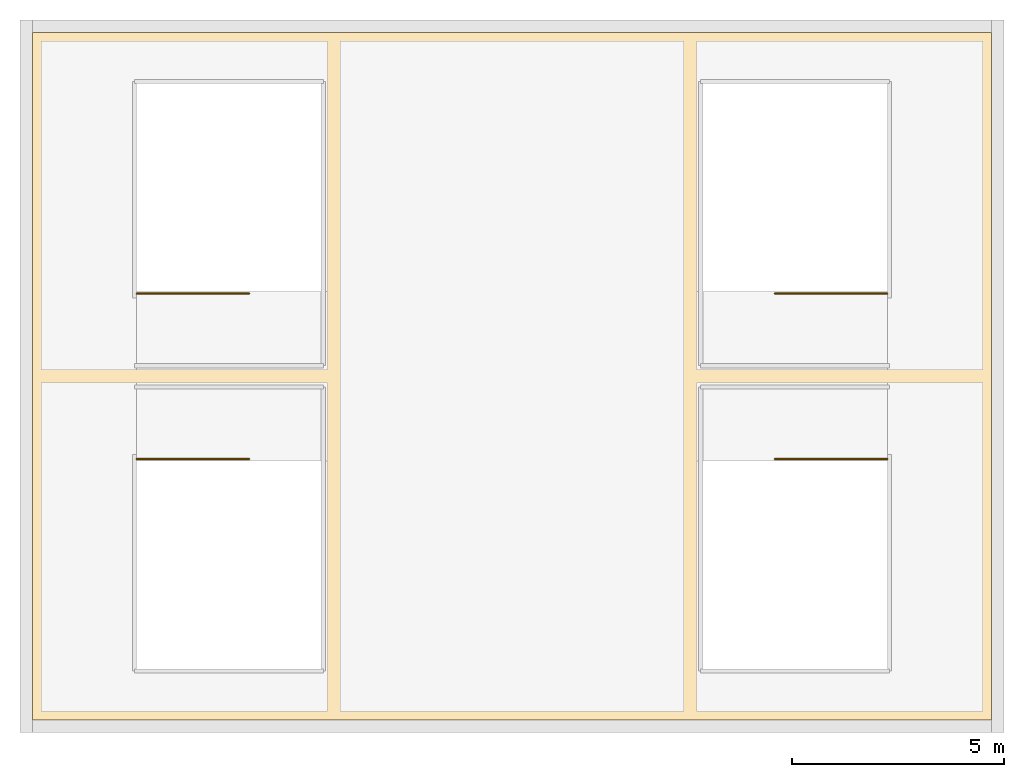
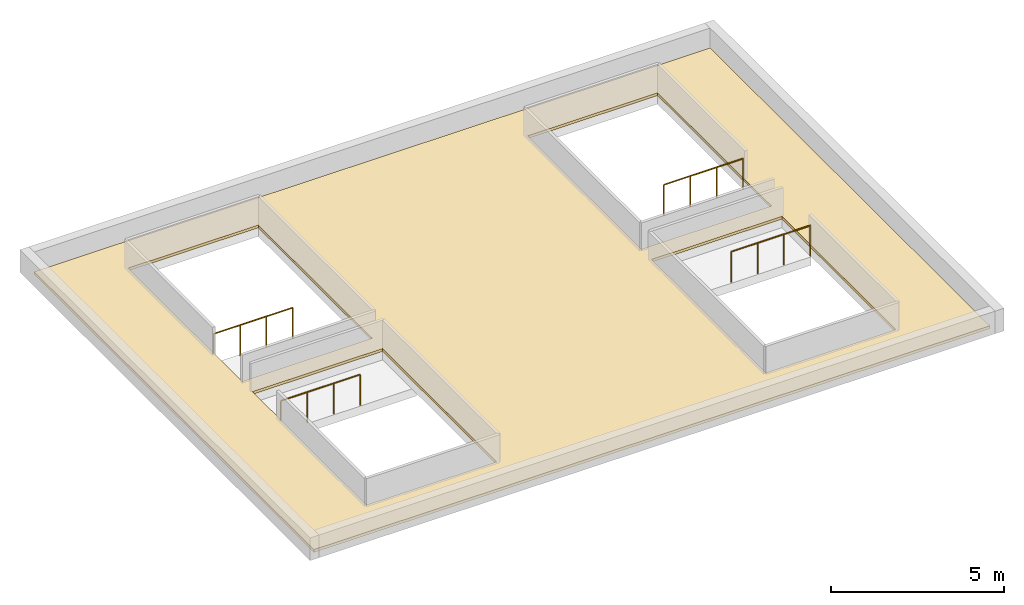
# One storey, part 2 of 2: 4 railings, 1 covering.
"""IFC4 building model written with IfcOpenShell, lengths in metres."""

from ifc_helpers import new_model, si_unit, direction, frame, origin, origin_2d, place, context, subcontext, project, spatial, polyline, circle, outline, extrude, material, layer, layer_set, type_object, element, save


model = new_model("IFC4")

# Units and contexts
model_context = context("Model", 3, precision=1e-05, world=origin(), true_north=direction((0.0, 1.0)))
body_context = subcontext(model_context, "Body", "Model", "MODEL_VIEW")
ifc_project = project(units=[si_unit("LENGTHUNIT", "METRE"), si_unit("AREAUNIT", "SQUARE_METRE"), si_unit("VOLUMEUNIT", "CUBIC_METRE"), si_unit("PLANEANGLEUNIT", "RADIAN"), si_unit("MASSUNIT", "GRAM", prefix="KILO")], contexts=[model_context])

# Site, building, storey
site_placement = place(None, origin())
site = spatial("IfcSite", under=ifc_project, at=site_placement, CompositionType="ELEMENT")
building_placement = place(site_placement, origin())
building = spatial("IfcBuilding", under=site, at=building_placement, Name="Marenta Gate Hotel Tower", CompositionType="ELEMENT")
storey_placement = place(building_placement, frame((0.0, 0.0, 309.39990234375)))
storey = spatial("IfcBuildingStorey", under=building, at=storey_placement, Name="ROOF", CompositionType="ELEMENT", Elevation=309.39990234375)

# Covering
ifc_material_1 = material(Name="Bronze anodised aluminium cladding", Category="aluminium")
ifc_layer = layer(ifc_material_1, 0.10009765625)
ifc_layer_set = layer_set([ifc_layer], Name="Bronze anodised aluminium cladding")
covering_type = type_object("IfcCoveringType", Name="Core roof bronze sheet 100 mm", PredefinedType="ROOFING", material=ifc_layer_set)
covering_placement = place(storey_placement, frame((0.0, 0.0, 0.300048828125)))
element("IfcCovering", 1, at=covering_placement, inside=storey, type_object=covering_type, Name="Core roof bronze sheet", PredefinedType="ROOFING", context=body_context, shape_type="SweptSolid", body=[
    extrude(outline(polyline([(-11.300048828125, 0.300048828125), (-11.300048828125, 16.5), (11.300048828125, 16.5), (11.300048828125, 0.300048828125), (-11.300048828125, 0.300048828125)]), holes=[polyline([(-4.5, 1.5), (-4.5, 8.10009765625), (-8.85009765625, 8.10009765625), (-8.85009765625, 1.5), (-4.5, 1.5)]), polyline([(-8.85009765625, 8.699951171875), (-4.5, 8.699951171875), (-4.5, 15.300048828125), (-8.85009765625, 15.300048828125), (-8.85009765625, 8.699951171875)]), polyline([(4.5, 8.10009765625), (4.5, 1.5), (8.85009765625, 1.5), (8.85009765625, 8.10009765625), (4.5, 8.10009765625)]), polyline([(8.85009765625, 15.300048828125), (4.5, 15.300048828125), (4.5, 8.699951171875), (8.85009765625, 8.699951171875), (8.85009765625, 15.300048828125)])]), origin(), (0.0, 0.0, 1.0), 0.10009765625),
])

# Railings
ifc_material_2 = material(Name="Stainless steel", Category="steel")
railing_type = type_object("IfcRailingType", Name="Core stair well guard 1100", PredefinedType="GUARDRAIL", material=ifc_material_2)
for number, where, name in (
    (2, (-8.85009765625, 6.449951171875, 0.0), "GR-1100 ROOF-RG-ST1"),
    (3, (-8.85009765625, 10.35009765625, 0.0), "GR-1100 ROOF-RG-ST2"),
):
    element("IfcRailing", number, at=place(storey_placement, frame(where)), inside=storey, type_object=railing_type, Name=name, PredefinedType="GUARDRAIL", context=body_context, shape_type="SweptSolid", body=[
        extrude(circle(Radius=0.02392578125, at=origin_2d()), frame((0.0, 0.0, 1.076171875), z_axis=(1.0, 0.0, 0.0), x_axis=(0.0, 1.0, 0.0)), (0.0, 0.0, 1.0), 2.650146484375),
        extrude(circle(Radius=0.02099609375, at=origin_2d()), origin(), (0.0, 0.0, 1.0), 1.052001953125),
        extrude(circle(Radius=0.02099609375, at=origin_2d()), frame((0.88330078125, 0.0, 0.0)), (0.0, 0.0, 1.0), 1.052001953125),
        extrude(circle(Radius=0.02099609375, at=origin_2d()), frame((1.766845703125, 0.0, 0.0)), (0.0, 0.0, 1.0), 1.052001953125),
        extrude(circle(Radius=0.02099609375, at=origin_2d()), frame((2.650146484375, 0.0, 0.0)), (0.0, 0.0, 1.0), 1.052001953125),
    ])
for number, where, name in (
    (4, (8.85009765625, 6.449951171875, 0.0), "GR-1100 ROOF-RG-ST3"),
    (5, (8.85009765625, 10.35009765625, 0.0), "GR-1100 ROOF-RG-ST4"),
):
    element("IfcRailing", number, at=place(storey_placement, frame(where)), inside=storey, type_object=railing_type, Name=name, PredefinedType="GUARDRAIL", context=body_context, shape_type="SweptSolid", body=[
        extrude(circle(Radius=0.02392578125, at=origin_2d()), frame((0.0, 0.0, 1.076171875), z_axis=(-1.0, 0.0, 0.0), x_axis=(0.0, -1.0, 0.0)), (0.0, 0.0, 1.0), 2.650146484375),
        extrude(circle(Radius=0.02099609375, at=origin_2d()), origin(), (0.0, 0.0, 1.0), 1.052001953125),
        extrude(circle(Radius=0.02099609375, at=origin_2d()), frame((-0.88330078125, 0.0, 0.0)), (0.0, 0.0, 1.0), 1.052001953125),
        extrude(circle(Radius=0.02099609375, at=origin_2d()), frame((-1.766845703125, 0.0, 0.0)), (0.0, 0.0, 1.0), 1.052001953125),
        extrude(circle(Radius=0.02099609375, at=origin_2d()), frame((-2.650146484375, 0.0, 0.0)), (0.0, 0.0, 1.0), 1.052001953125),
    ])

save(model, "model.ifc")
